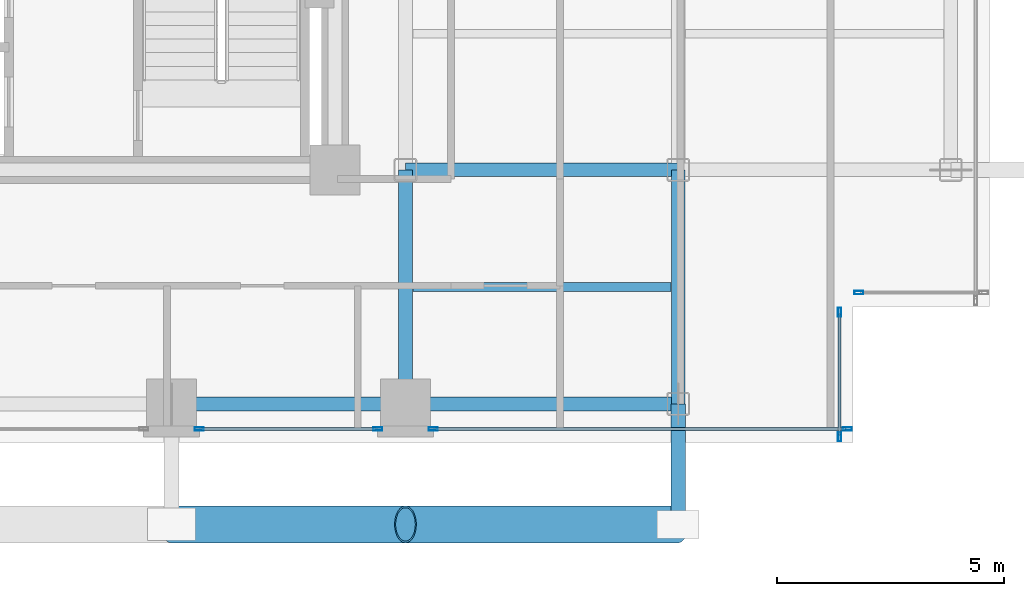
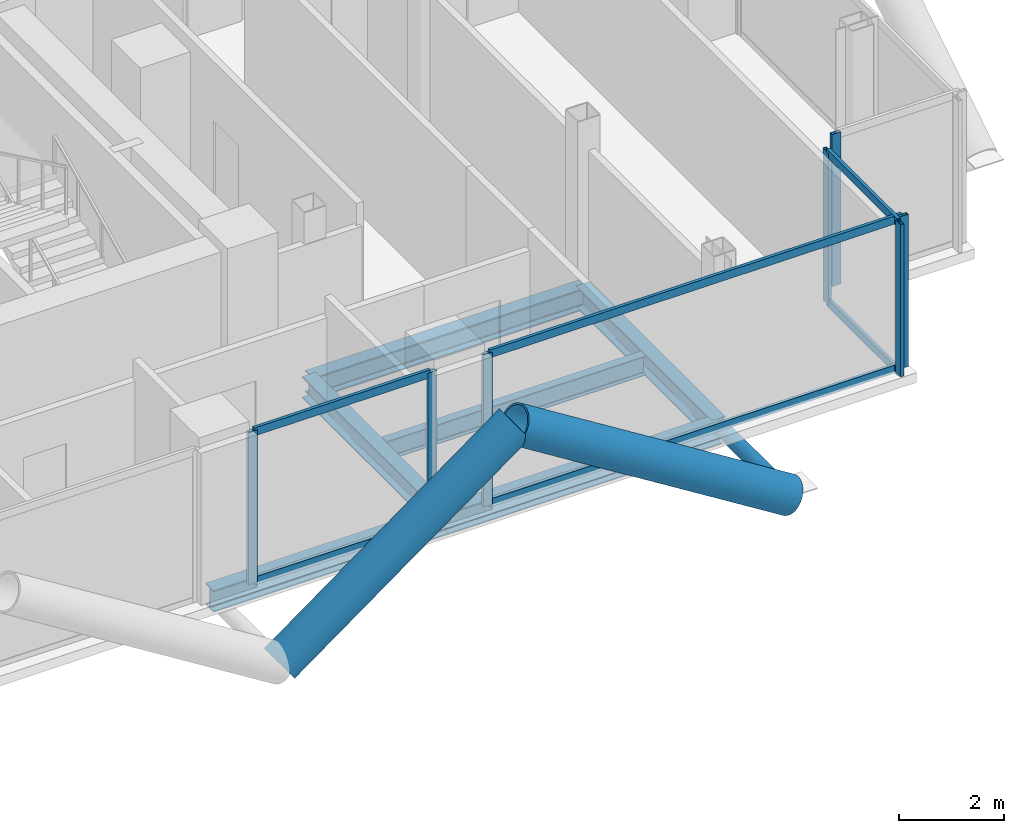
# One storey, part 9 of 24: 16 members, 6 beams, 4 elements without a shape of their own.
"""IFC4 building model written with IfcOpenShell, lengths in metres."""

from ifc_helpers import new_model, si_unit, direction, frame, origin, origin_2d, place, context, subcontext, project, spatial, hollow_rectangle, hollow_circle, i_section, extrude, material, layer, layer_set, material_profile, profile_set, type_object, element, aggregate, save


model = new_model("IFC4")

# Units and contexts
model_context = context("Model", 3, precision=1e-05, world=origin(), true_north=direction((0.0, 1.0)))
body_context = subcontext(model_context, "Body", "Model", "MODEL_VIEW")
ifc_project = project(units=[si_unit("LENGTHUNIT", "METRE"), si_unit("AREAUNIT", "SQUARE_METRE"), si_unit("VOLUMEUNIT", "CUBIC_METRE"), si_unit("PLANEANGLEUNIT", "RADIAN"), si_unit("MASSUNIT", "GRAM", prefix="KILO"), si_unit("THERMODYNAMICTEMPERATUREUNIT", "KELVIN"), si_unit("POWERUNIT", "WATT")], contexts=[model_context])

# Site, building, storey
site_placement = place(None, origin())
site = spatial("IfcSite", under=ifc_project, at=site_placement, CompositionType="ELEMENT")
building_placement = place(site_placement, origin())
building = spatial("IfcBuilding", under=site, at=building_placement, Name="Svarakhadi Broadcast Tower", CompositionType="ELEMENT")
storey_placement = place(building_placement, frame((0.0, 0.0, 156.89990234375)))
storey = spatial("IfcBuildingStorey", under=building, at=storey_placement, Name="L38", CompositionType="ELEMENT", Elevation=156.89990234375)

# Beam
ifc_material_1 = material(Name="Steel S355J2 (IS 2062 E350C)", Category="steel")
ifc_material_profile_1 = material_profile(ifc_material_1, i_section(OverallWidth=0.18994140625, OverallDepth=0.449951171875, WebThickness=0.009521484375, FlangeThickness=0.0146484375, FilletRadius=0.02099609375, at=origin_2d()), Name="NPB 450x190x78")
ifc_profile_set_1 = profile_set([ifc_material_profile_1], Name="Steel S355J2 (IS 2062 E350C)")
beam_type_1 = type_object("IfcBeamType", Name="Beam_NPB450", PredefinedType="BEAM", material=ifc_profile_set_1)
beam_1_placement = place(storey_placement, frame((35.31005859375, 3.425048828125, -0.449951171875), z_axis=(1.0, 0.0, 0.0), x_axis=(0.0, 1.0, 0.0)))
element("IfcBeam", 1, at=beam_1_placement, inside=storey, type_object=beam_type_1, Name="L38 Secondary Composite Beam SB019", PredefinedType="BEAM", context=body_context, shape_type="SweptSolid", body=[
    extrude(i_section(OverallWidth=0.18994140625, OverallDepth=0.449951171875, WebThickness=0.009521484375, FlangeThickness=0.0146484375, FilletRadius=0.02099609375, at=origin_2d()), origin(), (0.0, 0.0, 1.0), 5.679931640625),
])

# Curtain wall, member
ifc_material_2 = material(Name="Anodised Bronze Aluminium AA 6063-T6", Category="aluminium")
ifc_layer = layer(ifc_material_2, 0.199951171875)
ifc_layer_set = layer_set([ifc_layer], Name="Anodised Bronze Aluminium AA 6063-T6")
curtain_wall_type = type_object("IfcCurtainWallType", Name="CW_Sys_03", PredefinedType="NOTDEFINED", material=ifc_layer_set)
curtain_wall_1_placement = place(storey_placement, origin())
curtain_wall_1 = element("IfcCurtainWall", 2, at=curtain_wall_1_placement, inside=storey, type_object=curtain_wall_type, Name="L38 Unitised Facade Curtain Wall 14", PredefinedType="NOTDEFINED")
ifc_material_profile_2 = material_profile(ifc_material_2, hollow_rectangle(XDim=0.074951171875, YDim=0.199951171875, WallThickness=0.005615234375, at=origin_2d()), Name="ALU MULLION 200x75x6")
ifc_profile_set_2 = profile_set([ifc_material_profile_2], Name="Anodised Bronze Aluminium AA 6063-T6")
member_type_1 = type_object("IfcMemberType", Name="CW_Sys_03_Mul", PredefinedType="MULLION", material=ifc_profile_set_2)
member_1_placement = place(storey_placement, frame((45.12744140625, 3.300048828125, 0.0), z_axis=(0.0, 0.0, 1.0), x_axis=(0.0, -1.0, 0.0)))
member_1 = element("IfcMember", 3, at=member_1_placement, type_object=member_type_1, Name="CW-03 mullion 2", PredefinedType="MULLION", context=body_context, shape_type="SweptSolid", body=[
    extrude(hollow_rectangle(XDim=0.074951171875, YDim=0.199951171875, WallThickness=0.005615234375, at=origin_2d()), origin(), (0.0, 0.0, 1.0), 3.525146484375),
])
aggregate(curtain_wall_1, [member_1])

# Curtain wall, members
curtain_wall_2_placement = place(storey_placement, origin())
curtain_wall_2 = element("IfcCurtainWall", 4, at=curtain_wall_2_placement, inside=storey, type_object=curtain_wall_type, Name="L38 Unitised Facade Curtain Wall 15", PredefinedType="NOTDEFINED")
member_2_placement = place(storey_placement, frame((44.699951171875, 2.87255859375, 0.0), z_axis=(0.0, 0.0, 1.0), x_axis=(1.0, 0.0, 0.0)))
member_2 = element("IfcMember", 5, at=member_2_placement, type_object=member_type_1, Name="CW-03 mullion 1", PredefinedType="MULLION", context=body_context, shape_type="SweptSolid", body=[
    extrude(hollow_rectangle(XDim=0.074951171875, YDim=0.199951171875, WallThickness=0.005615234375, at=origin_2d()), origin(), (0.0, 0.0, 1.0), 3.525146484375),
])
member_3_placement = place(storey_placement, frame((44.699951171875, 0.12744140625, 0.0), z_axis=(0.0, 0.0, 1.0), x_axis=(1.0, 0.0, 0.0)))
member_3 = element("IfcMember", 6, at=member_3_placement, type_object=member_type_1, Name="CW-03 mullion 2", PredefinedType="MULLION", context=body_context, shape_type="SweptSolid", body=[
    extrude(hollow_rectangle(XDim=0.074951171875, YDim=0.199951171875, WallThickness=0.005615234375, at=origin_2d()), origin(), (0.0, 0.0, 1.0), 3.525146484375),
])

curtain_wall_3_placement = place(storey_placement, origin())
curtain_wall_3 = element("IfcCurtainWall", 7, at=curtain_wall_3_placement, inside=storey, type_object=curtain_wall_type, Name="L38 South Curtain Wall 16 Bay 1", PredefinedType="NOTDEFINED")
member_4_placement = place(storey_placement, frame((44.87255859375, 0.300048828125, 0.0), z_axis=(0.0, 0.0, 1.0), x_axis=(0.0, -1.0, 0.0)))
member_4 = element("IfcMember", 8, at=member_4_placement, type_object=member_type_1, Name="CW-03 mullion 1", PredefinedType="MULLION", context=body_context, shape_type="SweptSolid", body=[
    extrude(hollow_rectangle(XDim=0.074951171875, YDim=0.199951171875, WallThickness=0.005615234375, at=origin_2d()), origin(), (0.0, 0.0, 1.0), 3.525146484375),
])
member_5_placement = place(storey_placement, frame((35.757568359375, 0.300048828125, 0.0), z_axis=(0.0, 0.0, 1.0), x_axis=(0.0, -1.0, 0.0)))
member_5 = element("IfcMember", 9, at=member_5_placement, type_object=member_type_1, Name="CW-03 mullion 2", PredefinedType="MULLION", context=body_context, shape_type="SweptSolid", body=[
    extrude(hollow_rectangle(XDim=0.074951171875, YDim=0.199951171875, WallThickness=0.005615234375, at=origin_2d()), origin(), (0.0, 0.0, 1.0), 3.525146484375),
])

curtain_wall_4_placement = place(storey_placement, origin())
curtain_wall_4 = element("IfcCurtainWall", 10, at=curtain_wall_4_placement, inside=storey, type_object=curtain_wall_type, Name="L38 South Curtain Wall 16 Bay 2", PredefinedType="NOTDEFINED")
member_6_placement = place(storey_placement, frame((34.54248046875, 0.300048828125, 0.0), z_axis=(0.0, 0.0, 1.0), x_axis=(0.0, -1.0, 0.0)))
member_6 = element("IfcMember", 11, at=member_6_placement, type_object=member_type_1, Name="CW-03 mullion 1", PredefinedType="MULLION", context=body_context, shape_type="SweptSolid", body=[
    extrude(hollow_rectangle(XDim=0.074951171875, YDim=0.199951171875, WallThickness=0.005615234375, at=origin_2d()), origin(), (0.0, 0.0, 1.0), 3.525146484375),
])
member_7_placement = place(storey_placement, frame((30.607421875, 0.300048828125, 0.0), z_axis=(0.0, 0.0, 1.0), x_axis=(0.0, -1.0, 0.0)))
member_7 = element("IfcMember", 12, at=member_7_placement, type_object=member_type_1, Name="CW-03 mullion 2", PredefinedType="MULLION", context=body_context, shape_type="SweptSolid", body=[
    extrude(hollow_rectangle(XDim=0.074951171875, YDim=0.199951171875, WallThickness=0.005615234375, at=origin_2d()), origin(), (0.0, 0.0, 1.0), 3.525146484375),
])

# Member
ifc_material_profile_3 = material_profile(ifc_material_2, hollow_rectangle(XDim=0.070068359375, YDim=0.18505859375, WallThickness=0.0048828125, at=origin_2d()), Name="ALU TRANSOM 185x70x5")
ifc_profile_set_3 = profile_set([ifc_material_profile_3], Name="Anodised Bronze Aluminium AA 6063-T6")
member_type_2 = type_object("IfcMemberType", Name="CW_Sys_03_Trn", PredefinedType="USERDEFINED", material=ifc_profile_set_3)
member_8_placement = place(storey_placement, frame((44.699951171875, 2.8349609375, 0.03515625), z_axis=(0.0, -1.0, 0.0), x_axis=(1.0, 0.0, 0.0)))
member_8 = element("IfcMember", 13, at=member_8_placement, type_object=member_type_2, Name="CW-03 transom 1.1", ObjectType="TRANSOM", PredefinedType="USERDEFINED", context=body_context, shape_type="SweptSolid", body=[
    extrude(hollow_rectangle(XDim=0.070068359375, YDim=0.18505859375, WallThickness=0.0048828125, at=origin_2d()), origin(), (0.0, 0.0, 1.0), 2.669921875),
])

member_9_placement = place(storey_placement, frame((44.699951171875, 2.8349609375, 3.489990234375), z_axis=(0.0, -1.0, 0.0), x_axis=(1.0, 0.0, 0.0)))
member_9 = element("IfcMember", 14, at=member_9_placement, type_object=member_type_2, Name="CW-03 transom 1.2", ObjectType="TRANSOM", PredefinedType="USERDEFINED", context=body_context, shape_type="SweptSolid", body=[
    extrude(hollow_rectangle(XDim=0.070068359375, YDim=0.18505859375, WallThickness=0.0048828125, at=origin_2d()), origin(), (0.0, 0.0, 1.0), 2.669921875),
])

aggregate(curtain_wall_2, [member_2, member_3, member_8, member_9])

member_10_placement = place(storey_placement, frame((44.8349609375, 0.300048828125, 0.03515625), z_axis=(-1.0, 0.0, 0.0), x_axis=(0.0, -1.0, 0.0)))
member_10 = element("IfcMember", 15, at=member_10_placement, type_object=member_type_2, Name="CW-03 transom 1.1", ObjectType="TRANSOM", PredefinedType="USERDEFINED", context=body_context, shape_type="SweptSolid", body=[
    extrude(hollow_rectangle(XDim=0.070068359375, YDim=0.18505859375, WallThickness=0.0048828125, at=origin_2d()), origin(), (0.0, 0.0, 1.0), 9.0400390625),
])

member_11_placement = place(storey_placement, frame((44.8349609375, 0.300048828125, 3.489990234375), z_axis=(-1.0, 0.0, 0.0), x_axis=(0.0, -1.0, 0.0)))
member_11 = element("IfcMember", 16, at=member_11_placement, type_object=member_type_2, Name="CW-03 transom 1.2", ObjectType="TRANSOM", PredefinedType="USERDEFINED", context=body_context, shape_type="SweptSolid", body=[
    extrude(hollow_rectangle(XDim=0.070068359375, YDim=0.18505859375, WallThickness=0.0048828125, at=origin_2d()), origin(), (0.0, 0.0, 1.0), 9.0400390625),
])

aggregate(curtain_wall_3, [member_4, member_5, member_10, member_11])

member_12_placement = place(storey_placement, frame((34.5048828125, 0.300048828125, 0.03515625), z_axis=(-1.0, 0.0, 0.0), x_axis=(0.0, -1.0, 0.0)))
member_12 = element("IfcMember", 17, at=member_12_placement, type_object=member_type_2, Name="CW-03 transom 1.1", ObjectType="TRANSOM", PredefinedType="USERDEFINED", context=body_context, shape_type="SweptSolid", body=[
    extrude(hollow_rectangle(XDim=0.070068359375, YDim=0.18505859375, WallThickness=0.0048828125, at=origin_2d()), origin(), (0.0, 0.0, 1.0), 3.85986328125),
])

member_13_placement = place(storey_placement, frame((34.5048828125, 0.300048828125, 3.489990234375), z_axis=(-1.0, 0.0, 0.0), x_axis=(0.0, -1.0, 0.0)))
member_13 = element("IfcMember", 18, at=member_13_placement, type_object=member_type_2, Name="CW-03 transom 1.2", ObjectType="TRANSOM", PredefinedType="USERDEFINED", context=body_context, shape_type="SweptSolid", body=[
    extrude(hollow_rectangle(XDim=0.070068359375, YDim=0.18505859375, WallThickness=0.0048828125, at=origin_2d()), origin(), (0.0, 0.0, 1.0), 3.85986328125),
])

aggregate(curtain_wall_4, [member_6, member_7, member_12, member_13])

# Members
ifc_material_3 = material(Name="Steel S460ML (IS 2062 E450BR)", Category="steel")
ifc_material_profile_4 = material_profile(ifc_material_3, hollow_circle(Radius=0.406494140625, WallThickness=0.0400390625, at=origin_2d()), Name="CHS 813x40")
ifc_profile_set_4 = profile_set([ifc_material_profile_4], Name="Steel S460ML (IS 2062 E450BR)")
member_type_3 = type_object("IfcMemberType", Name="Exo_Brace_CHS813", PredefinedType="BRACE", material=ifc_profile_set_4)
member_14_placement = place(storey_placement, frame((30.0, -1.800048828125, -0.386962890625), z_axis=(0.808391243061, 0.0, 0.588645562407), x_axis=(0.0, 1.0, 0.0)))
element("IfcMember", 19, at=member_14_placement, inside=storey, type_object=member_type_3, Name="L38 Exposed Bronze Exoskeleton Diagonal S02", PredefinedType="BRACE", context=body_context, shape_type="SweptSolid", body=[
    extrude(hollow_circle(Radius=0.406494140625, WallThickness=0.0400390625, at=origin_2d()), origin(), (0.0, 0.0, 1.0), 6.37060546875),
])
member_15_placement = place(storey_placement, frame((41.14990234375, -1.800048828125, -0.386962890625), z_axis=(-0.847998304005, 0.0, 0.529998940003), x_axis=(0.0, -1.0, 0.0)))
element("IfcMember", 20, at=member_15_placement, inside=storey, type_object=member_type_3, Name="L38 Exposed Bronze Exoskeleton Diagonal S03", PredefinedType="BRACE", context=body_context, shape_type="SweptSolid", body=[
    extrude(hollow_circle(Radius=0.406494140625, WallThickness=0.0400390625, at=origin_2d()), origin(), (0.0, 0.0, 1.0), 7.075439453125),
])
ifc_material_profile_5 = material_profile(ifc_material_3, hollow_circle(Radius=0.161865234375, WallThickness=0.01611328125, at=origin_2d()), Name="CHS 323.9x16")
ifc_profile_set_5 = profile_set([ifc_material_profile_5], Name="Steel S460ML (IS 2062 E450BR)")
member_type_4 = type_object("IfcMemberType", Name="Exo_Radial_Strut_Z2", PredefinedType="STRUT", material=ifc_profile_set_5)
member_16_placement = place(storey_placement, frame((41.14990234375, -1.800048828125, -0.386962890625), z_axis=(0.0, 1.0, 0.0), x_axis=(-1.0, 0.0, 0.0)))
element("IfcMember", 21, at=member_16_placement, inside=storey, type_object=member_type_4, Name="L38 Exoskeleton Radial Tie Strut S04", PredefinedType="STRUT", context=body_context, shape_type="SweptSolid", body=[
    extrude(hollow_circle(Radius=0.161865234375, WallThickness=0.01611328125, at=origin_2d()), origin(), (0.0, 0.0, 1.0), 2.650146484375),
])

# Beams
ifc_material_profile_6 = material_profile(ifc_material_1, i_section(OverallWidth=0.300048828125, OverallDepth=0.5, WebThickness=0.014404296875, FlangeThickness=0.028076171875, FilletRadius=0.027099609375, at=origin_2d()), Name="WPB 500x300x187")
ifc_profile_set_6 = profile_set([ifc_material_profile_6], Name="Steel S355J2 (IS 2062 E350C)")
beam_type_2 = type_object("IfcBeamType", Name="Girder_WPB500", PredefinedType="USERDEFINED", material=ifc_profile_set_6)
beam_2_placement = place(storey_placement, frame((30.0, 0.85009765625, -0.474853515625), z_axis=(1.0, 0.0, 0.0), x_axis=(0.0, 1.0, 0.0)))
element("IfcBeam", 22, at=beam_2_placement, inside=storey, type_object=beam_type_2, Name="L38 Primary E-W Girder G008", ObjectType="GIRDER", PredefinedType="USERDEFINED", context=body_context, shape_type="SweptSolid", body=[
    extrude(i_section(OverallWidth=0.300048828125, OverallDepth=0.5, WebThickness=0.014404296875, FlangeThickness=0.028076171875, FilletRadius=0.027099609375, at=origin_2d()), origin(), (0.0, 0.0, 1.0), 5.14990234375),
])
for number, where, z_axis, x_axis, name in (
    (23, (35.14990234375, 0.85009765625, -0.474853515625), (1.0, 0.0, 0.0), (0.0, 1.0, 0.0), "L38 Primary E-W Girder G009"),
    (24, (35.14990234375, 6.0, -0.474853515625), (1.0, 0.0, 0.0), (0.0, 1.0, 0.0), "L38 Primary E-W Girder G015"),
):
    element("IfcBeam", number, at=place(storey_placement, frame(where, z_axis=z_axis, x_axis=x_axis)), inside=storey, type_object=beam_type_2, Name=name, ObjectType="GIRDER", PredefinedType="USERDEFINED", context=body_context, shape_type="SweptSolid", body=[
        extrude(i_section(OverallWidth=0.300048828125, OverallDepth=0.5, WebThickness=0.014404296875, FlangeThickness=0.028076171875, FilletRadius=0.027099609375, at=origin_2d()), origin(), (0.0, 0.0, 1.0), 6.0),
    ])
for number, where, z_axis, x_axis, name in (
    (25, (35.14990234375, 0.85009765625, -0.474853515625), (0.0, 1.0, 0.0), (-1.0, 0.0, 0.0), "L38 Primary N-S Girder G067"),
    (26, (41.14990234375, 0.85009765625, -0.474853515625), (0.0, 1.0, 0.0), (-1.0, 0.0, 0.0), "L38 Primary N-S Girder G070"),
):
    element("IfcBeam", number, at=place(storey_placement, frame(where, z_axis=z_axis, x_axis=x_axis)), inside=storey, type_object=beam_type_2, Name=name, ObjectType="GIRDER", PredefinedType="USERDEFINED", context=body_context, shape_type="SweptSolid", body=[
        extrude(i_section(OverallWidth=0.300048828125, OverallDepth=0.5, WebThickness=0.014404296875, FlangeThickness=0.028076171875, FilletRadius=0.027099609375, at=origin_2d()), origin(), (0.0, 0.0, 1.0), 5.14990234375),
    ])

save(model, "model.ifc")
